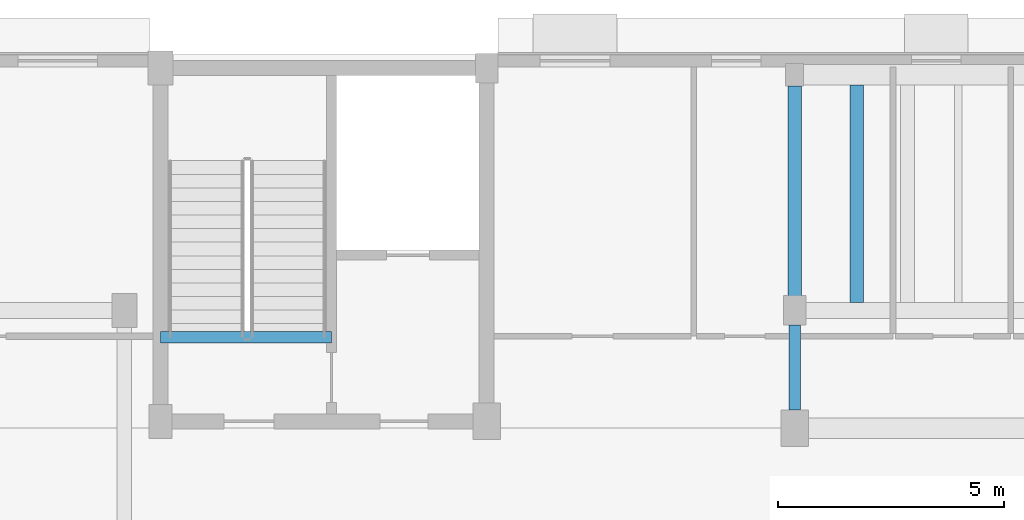
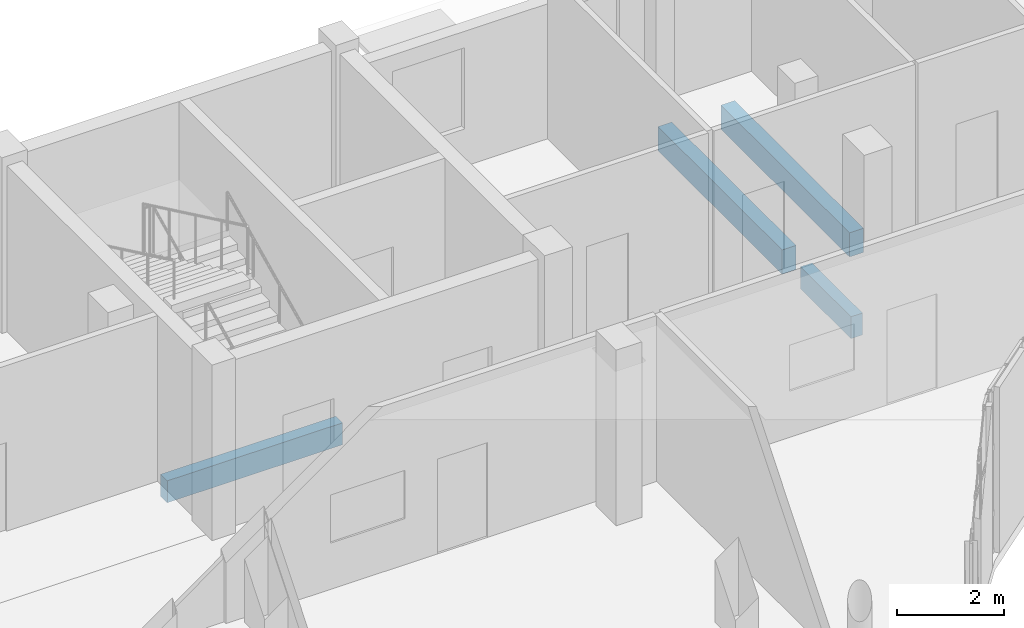
# One storey, part 47 of 105: 4 beams.
"""IFC4 building model written with IfcOpenShell, lengths in metres."""

import ifcopenshell
import ifcopenshell.guid

model = None  # the IFC model being written
_history = None  # IfcOwnerHistory: only IFC2X3 demands one
_inside = {}  # id of a spatial element -> (the spatial element, [elements in it])
_under = {}  # id of a project, library or spatial element -> (it, [spatial elements below it])
_declared = {}  # id of a project -> (the project, [libraries it declares])
_typed = {}  # id of a type object -> (the type object, [elements of that type])
_made_of = {}  # id of a material, layer set ... -> (it, [elements and type objects made of it])


def new_model(schema):
    """Start an empty IFC model of exactly this schema.

    Asked for "IFC4X3", IfcOpenShell would pick the latest addendum, in which some entities
    have other attributes; the version numbers below select the first issue.
    IFC2X3 requires an IfcOwnerHistory on every rooted entity: one is made here for all.
    """
    global model, _history
    if schema == "IFC4X3":
        model = ifcopenshell.file(schema_version=(4, 3, 0, 0))
    else:
        model = ifcopenshell.file(schema=schema)
    _inside.clear()
    _under.clear()
    _declared.clear()
    _typed.clear()
    _made_of.clear()
    _history = None
    if model.schema == "IFC2X3":
        org = make("IfcOrganization", Name="unknown")
        user = make(
            "IfcPersonAndOrganization",
            ThePerson=make("IfcPerson", FamilyName="unknown"),
            TheOrganization=org,
        )
        app = make(
            "IfcApplication",
            ApplicationDeveloper=org,
            Version="unknown",
            ApplicationFullName="unknown",
            ApplicationIdentifier="unknown",
        )
        _history = make(
            "IfcOwnerHistory",
            OwningUser=user,
            OwningApplication=app,
            ChangeAction="ADDED",
            CreationDate=0,
        )
    return model


def make(cls, **values):
    """One entity of the class cls with the attributes given. An attribute that is None is left unset."""
    return model.create_entity(
        cls, **{name: value for name, value in values.items() if value is not None}
    )


def rooted(cls, **values):
    """An entity with a GlobalId (a new one), such as an element, a storey or a relation."""
    return make(cls, GlobalId=ifcopenshell.guid.new(), OwnerHistory=_history, **values)


def si_unit(unit_type, name, prefix=None):
    """IfcSIUnit, for example si_unit("LENGTHUNIT", "METRE", prefix="MILLI")."""
    return make("IfcSIUnit", UnitType=unit_type, Prefix=prefix, Name=name)


def assignment(units):
    """IfcUnitAssignment: the units of a project."""
    return None if units is None else make("IfcUnitAssignment", Units=units)


def point(xyz):
    """IfcCartesianPoint."""
    return None if xyz is None else make("IfcCartesianPoint", Coordinates=xyz)


def direction(xyz):
    """IfcDirection."""
    return None if xyz is None else make("IfcDirection", DirectionRatios=xyz)


def frame(location, z_axis=None, x_axis=None):
    """IfcAxis2Placement3D, a coordinate frame: its origin and axes. An axis left out is left unset."""
    return make(
        "IfcAxis2Placement3D",
        Location=point(location),
        Axis=direction(z_axis),
        RefDirection=direction(x_axis),
    )


def frame_2d(location, x_axis=None):
    """IfcAxis2Placement2D, a coordinate frame in the plane: its origin and x axis."""
    return make(
        "IfcAxis2Placement2D", Location=point(location), RefDirection=direction(x_axis)
    )


def origin():
    """The frame at (0, 0, 0) with its axes left unset."""
    return frame((0.0, 0.0, 0.0))


def origin_2d():
    """The frame at (0, 0) in the plane with its x axis left unset."""
    return frame_2d((0.0, 0.0))


def place(relative_to, where):
    """IfcLocalPlacement: puts the frame where relative to a parent placement (None: the world)."""
    return make(
        "IfcLocalPlacement", PlacementRelTo=relative_to, RelativePlacement=where
    )


def context(
    kind, dimensions, precision=None, world=None, true_north=None, identifier=None
):
    """IfcGeometricRepresentationContext, for example the 3D "Model" context."""
    return make(
        "IfcGeometricRepresentationContext",
        ContextIdentifier=identifier,
        ContextType=kind,
        CoordinateSpaceDimension=dimensions,
        Precision=precision,
        WorldCoordinateSystem=world,
        TrueNorth=true_north,
    )


def subcontext(parent, identifier, kind, view, scale=None):
    """IfcGeometricRepresentationSubContext, for example "Body" below "Model"."""
    return make(
        "IfcGeometricRepresentationSubContext",
        ContextIdentifier=identifier,
        ContextType=kind,
        ParentContext=parent,
        TargetScale=scale,
        TargetView=view,
    )


def project(units=None, contexts=None):
    """IfcProject with its units and contexts."""
    return rooted(
        "IfcProject",
        Name="project",
        RepresentationContexts=contexts,
        UnitsInContext=assignment(units),
    )


def spatial(cls, under=None, at=None, **own):
    """A site, building, storey or space (cls), placed at a placement, below another one or the project."""
    s = rooted(cls, ObjectPlacement=at, **own)
    if under is not None:
        _under.setdefault(under.id(), (under, []))[1].append(s)
    return s


def profile(cls, at=None, kind="AREA", **sizes):
    """A parametric profile (cls). Its sizes go by their IFC names, for example OverallWidth=200.0."""
    return make(cls, ProfileType=kind, Position=at, **sizes)


def rectangle(**sizes):
    """IfcRectangleProfileDef."""
    return profile("IfcRectangleProfileDef", **sizes)


def extrude(swept, where, along, depth):
    """IfcExtrudedAreaSolid: the profile swept, set in the frame where, extruded along a direction by depth."""
    return make(
        "IfcExtrudedAreaSolid",
        SweptArea=swept,
        Position=where,
        ExtrudedDirection=direction(along),
        Depth=depth,
    )


def shape(context_of_items, identifier, shape_type, items):
    """IfcShapeRepresentation: the items that make up one representation, for example the "Body"."""
    return make(
        "IfcShapeRepresentation",
        ContextOfItems=context_of_items,
        RepresentationIdentifier=identifier,
        RepresentationType=shape_type,
        Items=items,
    )


def material(Name=None, Category=None):
    """IfcMaterial."""
    return make("IfcMaterial", Name=Name, Category=Category)


def material_profile(
    of_material, cross_section, Name=None, Category=None, Priority=None
):
    """IfcMaterialProfile: a cross section and its material."""
    return make(
        "IfcMaterialProfile",
        Name=Name,
        Material=of_material,
        Profile=cross_section,
        Priority=Priority,
        Category=Category,
    )


def profile_set(profiles, Name=None, composite=None):
    """IfcMaterialProfileSet."""
    return make(
        "IfcMaterialProfileSet",
        Name=Name,
        MaterialProfiles=profiles,
        CompositeProfile=composite,
    )


def made_of(thing, what):
    """Note that an element or type object is made of a material, layer set ...; save() writes the relation."""
    if what is not None:
        _made_of.setdefault(what.id(), (what, []))[1].append(thing)
    return thing


def type_object(cls, material=None, **own):
    """A type object (cls), such as IfcWallType, which elements share."""
    return made_of(rooted(cls, **own), material)


def element(
    cls,
    number,
    at=None,
    inside=None,
    cuts=None,
    type_object=None,
    material=None,
    context=None,
    identifier="Body",
    shape_type=None,
    held_by="IfcProductDefinitionShape",
    body=None,
    shapes=None,
    **own,
):
    """One element of the class cls, such as IfcWall. Its Tag is "e" and its number.

    at: its placement. inside: the storey or other place that contains it. cuts: it is an
    opening in that element (IfcRelVoidsElement). A single representation is given by context,
    identifier, shape_type and body (its items); several are given by shapes. held_by: the class
    of the entity that holds the representations. save() writes the other relations.
    """
    e = rooted(cls, Tag="e%d" % number, ObjectPlacement=at, **own)
    if body is not None:
        shapes = [shape(context, identifier, shape_type, body)]
    if shapes is not None:
        e.Representation = make(held_by, Representations=shapes)
    if inside is not None:
        _inside.setdefault(inside.id(), (inside, []))[1].append(e)
    if cuts is not None:
        rooted(
            "IfcRelVoidsElement", RelatingBuildingElement=cuts, RelatedOpeningElement=e
        )
    if type_object is not None:
        _typed.setdefault(type_object.id(), (type_object, []))[1].append(e)
    return made_of(e, material)


def aggregate(whole, parts):
    """IfcRelAggregates: a whole, such as a stair, and the parts it consists of."""
    return rooted("IfcRelAggregates", RelatingObject=whole, RelatedObjects=parts)


def save(model, path):
    """Write the relations noted so far, then the file.

    IfcRelAggregates (storeys below a building ...), IfcRelContainedInSpatialStructure (elements
    in a storey), IfcRelDefinesByType, IfcRelAssociatesMaterial and IfcRelDeclares: one each for
    every whole, place, type object, material and project.
    """
    for whole, parts in _under.values():
        aggregate(whole, parts)
    for where, things in _inside.values():
        rooted(
            "IfcRelContainedInSpatialStructure",
            RelatedElements=things,
            RelatingStructure=where,
        )
    for kind, things in _typed.values():
        rooted("IfcRelDefinesByType", RelatedObjects=things, RelatingType=kind)
    for what, things in _made_of.values():
        rooted("IfcRelAssociatesMaterial", RelatedObjects=things, RelatingMaterial=what)
    for by, libraries in _declared.values():
        rooted("IfcRelDeclares", RelatingContext=by, RelatedDefinitions=libraries)
    model.write(path)


model = new_model("IFC4")

# Units and contexts
model_context = context("Model", 3, precision=1e-05, world=origin(), true_north=direction((0.0, 1.0)))
body_context = subcontext(model_context, "Body", "Model", "MODEL_VIEW")
ifc_project = project(units=[si_unit("LENGTHUNIT", "METRE"), si_unit("AREAUNIT", "SQUARE_METRE"), si_unit("VOLUMEUNIT", "CUBIC_METRE"), si_unit("PLANEANGLEUNIT", "RADIAN"), si_unit("MASSUNIT", "GRAM", prefix="KILO")], contexts=[model_context])

# Site, building, storey
site_placement = place(None, origin())
site = spatial("IfcSite", under=ifc_project, at=site_placement, CompositionType="ELEMENT")
building_placement = place(site_placement, origin())
building = spatial("IfcBuilding", under=site, at=building_placement, Name="Kelanivale Promenade Academy", CompositionType="ELEMENT")
storey_placement = place(building_placement, frame((0.0, 0.0, 4.199951171875)))
storey = spatial("IfcBuildingStorey", under=building, at=storey_placement, Name="L01", CompositionType="ELEMENT", Elevation=4.199951171875)

# Beams
ifc_material = material(Name="Concrete C35/45", Category="concrete")
ifc_material_profile_1 = material_profile(ifc_material, rectangle(XDim=0.300048828125, YDim=0.550048828125, at=origin_2d()), Name="RC-BM 300x550")
ifc_profile_set_1 = profile_set([ifc_material_profile_1], Name="Concrete C35/45")
beam_type_1 = type_object("IfcBeamType", Name="JS-02 RC-BM 300x550", PredefinedType="JOIST", material=ifc_profile_set_1)
beam_1_placement = place(storey_placement, frame((94.0, 74.52001953125, -0.494873046875), z_axis=(0.0, 1.0, 0.0), x_axis=(-1.0, 0.0, 0.0)))
element("IfcBeam", 1, at=beam_1_placement, inside=storey, type_object=beam_type_1, Name="L01 beam JS-02", PredefinedType="JOIST", context=body_context, shape_type="SweptSolid", body=[
    extrude(rectangle(XDim=0.300048828125, YDim=0.550048828125, at=origin_2d()), origin(), (0.0, 0.0, 1.0), 4.635009765625),
])
beam_2_placement = place(storey_placement, frame((95.367919921875, 74.375, -0.494873046875), z_axis=(0.0, 1.0, 0.0), x_axis=(-1.0, 0.0, 0.0)))
element("IfcBeam", 2, at=beam_2_placement, inside=storey, type_object=beam_type_1, Name="L01 secondary sub-beam JS-02", PredefinedType="JOIST", context=body_context, shape_type="SweptSolid", body=[
    extrude(rectangle(XDim=0.300048828125, YDim=0.550048828125, at=origin_2d()), origin(), (0.0, 0.0, 1.0), 4.800048828125),
])
ifc_material_profile_2 = material_profile(ifc_material, rectangle(XDim=0.25, YDim=0.5, at=origin_2d()), Name="RC-BM 250x500")
ifc_profile_set_2 = profile_set([ifc_material_profile_2], Name="Concrete C35/45")
beam_type_2 = type_object("IfcBeamType", Name="LN-02 RC-BM 250x500", PredefinedType="LINTEL", material=ifc_profile_set_2)
beam_3_placement = place(storey_placement, frame((94.0, 71.9951171875, -0.469970703125), z_axis=(0.0, 1.0, 0.0), x_axis=(-1.0, 0.0, 0.0)))
element("IfcBeam", 3, at=beam_3_placement, inside=storey, type_object=beam_type_2, Name="L01 beam LN-02", PredefinedType="LINTEL", context=body_context, shape_type="SweptSolid", body=[
    extrude(rectangle(XDim=0.25, YDim=0.5, at=origin_2d()), origin(), (0.0, 0.0, 1.0), 1.884765625),
])
beam_4_placement = place(storey_placement, frame((80.0, 73.60498046875, -0.25), z_axis=(1.0, 0.0, 0.0), x_axis=(0.0, 1.0, 0.0)))
element("IfcBeam", 4, at=beam_4_placement, inside=storey, type_object=beam_type_2, Name="CORE-2 stair arrival trimmer beam L01", PredefinedType="LINTEL", context=body_context, shape_type="SweptSolid", body=[
    extrude(rectangle(XDim=0.25, YDim=0.5, at=origin_2d()), origin(), (0.0, 0.0, 1.0), 3.77490234375),
])

save(model, "model.ifc")
